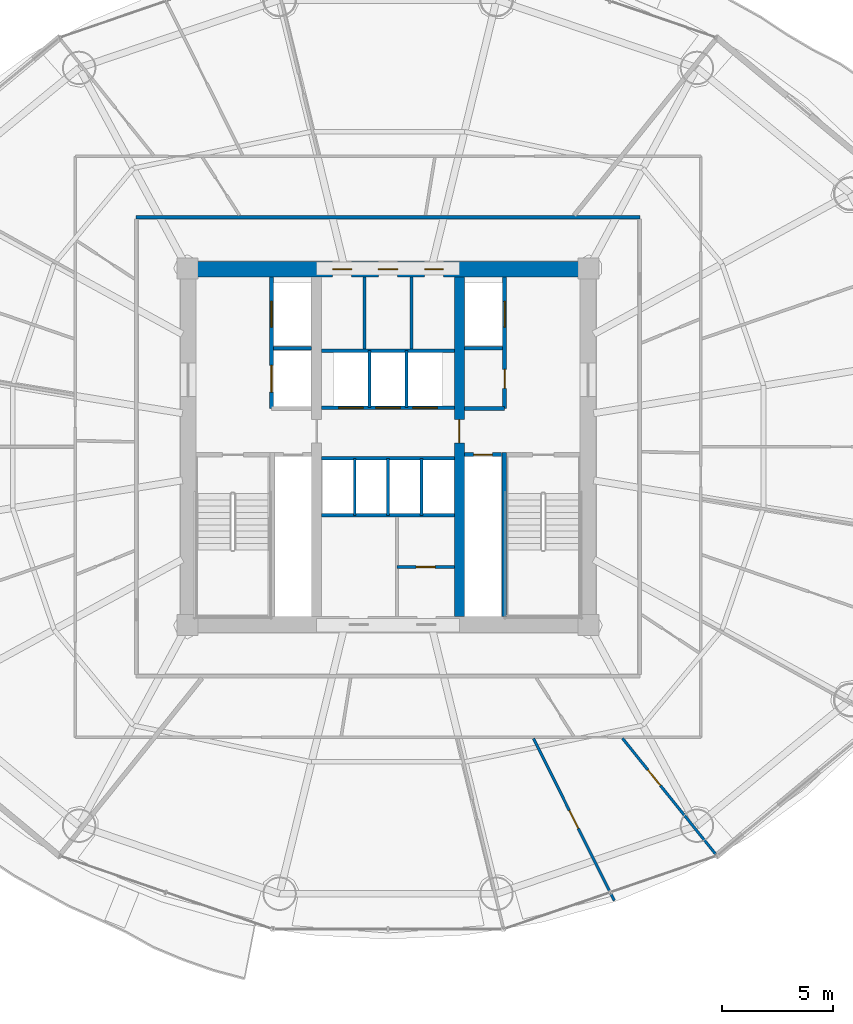
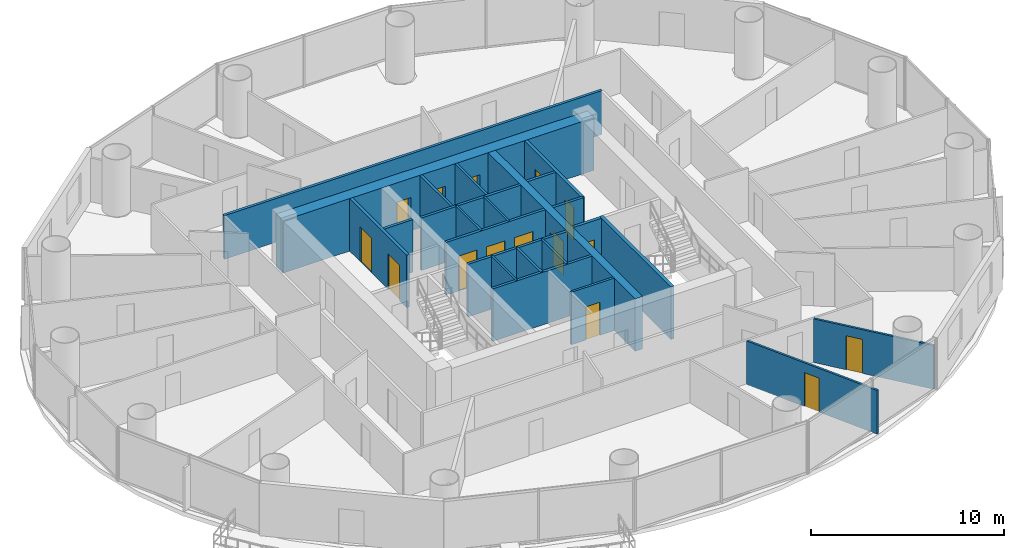
# One storey, part 23 of 29: 24 walls, 15 doors, 15 openings.
"""IFC4 building model written with IfcOpenShell, lengths in metres."""

from ifc_helpers import new_model, si_unit, direction, frame, frame_2d, origin, place, context, subcontext, project, spatial, rectangle, extrude, source, transform, mapped, material, layer, layer_set, type_object, element, fill, save


model = new_model("IFC4")

# Units and contexts
model_context = context("Model", 3, precision=1e-05, world=origin(), true_north=direction((-0.2419218956, 0.970295726276)))
body_context = subcontext(model_context, "Body", "Model", "MODEL_VIEW")
ifc_project = project(units=[si_unit("LENGTHUNIT", "METRE"), si_unit("AREAUNIT", "SQUARE_METRE"), si_unit("VOLUMEUNIT", "CUBIC_METRE"), si_unit("PLANEANGLEUNIT", "RADIAN"), si_unit("MASSUNIT", "GRAM", prefix="KILO")], contexts=[model_context])

# Site, building, storey
site_placement = place(None, origin())
site = spatial("IfcSite", under=ifc_project, at=site_placement, CompositionType="ELEMENT")
building_placement = place(site_placement, origin())
building = spatial("IfcBuilding", under=site, at=building_placement, Name="Cobrevalo Terracotta Tower", CompositionType="ELEMENT")
storey_placement = place(building_placement, frame((0.0, 0.0, 119.39990234375)))
storey = spatial("IfcBuildingStorey", under=building, at=storey_placement, Name="L31", CompositionType="ELEMENT", Elevation=119.39990234375)

# Wall, openings, doors
ifc_material_1 = material(Name="Concrete C60", Category="concrete")
ifc_layer_1 = layer(ifc_material_1, 0.699951171875)
ifc_layer_set_1 = layer_set([ifc_layer_1], Name="Concrete C60")
wall_type_1 = type_object("IfcWallType", Name="Core shear wall 700 mm Concrete C60", PredefinedType="SHEAR", material=ifc_layer_set_1)
wall_1_placement = place(storey_placement, frame((28.675048828125, 34.77490234375, 0.0), z_axis=(0.0, 0.0, 1.0), x_axis=(1.0, 0.0, 0.0)))
wall_1 = element("IfcWall", 1, at=wall_1_placement, inside=storey, type_object=wall_type_1, Name="L31 north core shear wall", PredefinedType="SHEAR", context=body_context, shape_type="SweptSolid", body=[
    extrude(rectangle(XDim=18.64990234375, YDim=0.699951171875, at=frame_2d((9.324951171875, 0.0))), origin(), (0.0, 0.0, 1.0), 3.3251953125),
])
opening_1_placement = place(wall_1_placement, frame((6.83740234375, 0.0, 0.0)))
opening_1 = element("IfcOpeningElement", 2, at=opening_1_placement, cuts=wall_1, Name="Opening ID-22", PredefinedType="OPENING", context=body_context, shape_type="SweptSolid", body=[
    extrude(rectangle(XDim=0.85009765625, YDim=2.10009765625, at=frame_2d((0.425048828125, 1.050048828125))), frame((0.0, 0.35986328125, 0.0), z_axis=(0.0, -1.0, 0.0), x_axis=(1.0, 0.0, 0.0)), (0.0, 0.0, 1.0), 0.719970703125),
])
opening_2_placement = place(wall_1_placement, frame((8.89501953125, 0.0, 0.0)))
opening_2 = element("IfcOpeningElement", 3, at=opening_2_placement, cuts=wall_1, Name="Opening ID-07", PredefinedType="OPENING", context=body_context, shape_type="SweptSolid", body=[
    extrude(rectangle(XDim=0.860107421875, YDim=2.10009765625, at=frame_2d((0.43017578125, 1.050048828125))), frame((0.0, 0.35986328125, 0.0), z_axis=(0.0, -1.0, 0.0), x_axis=(1.0, 0.0, 0.0)), (0.0, 0.0, 1.0), 0.719970703125),
])
opening_3_placement = place(wall_1_placement, frame((10.96240234375, 0.0, 0.0)))
opening_3 = element("IfcOpeningElement", 4, at=opening_3_placement, cuts=wall_1, Name="Opening ID-22", PredefinedType="OPENING", context=body_context, shape_type="SweptSolid", body=[
    extrude(rectangle(XDim=0.85009765625, YDim=2.10009765625, at=frame_2d((0.425048828125, 1.050048828125))), frame((0.0, 0.35986328125, 0.0), z_axis=(0.0, -1.0, 0.0), x_axis=(1.0, 0.0, 0.0)), (0.0, 0.0, 1.0), 0.719970703125),
])
ifc_material_2 = material(Name="Powder-coated steel", Category="steel")
door_type_1 = type_object("IfcDoorType", Name="Riser shaft & meter closet fire access door 850x2100 EI 60", OperationType="NOTDEFINED", PredefinedType="DOOR", material=ifc_material_2)
shared_shape_1 = source(origin(), body_context, "Body", "SweptSolid", [
    extrude(rectangle(XDim=0.85009765625, YDim=2.10009765625, at=frame_2d((0.425048828125, 1.050048828125))), frame((0.0, 0.02490234375, 0.0), z_axis=(0.0, -1.0, 0.0), x_axis=(1.0, 0.0, 0.0)), (0.0, 0.0, 1.0), 0.050048828125),
])
door_1_placement = place(opening_1_placement, frame((0.85009765625, 0.0, 0.0), z_axis=(0.0, 0.0, 1.0), x_axis=(-1.0, 0.0, 0.0)))
door_1 = element("IfcDoor", 5, at=door_1_placement, inside=storey, type_object=door_type_1, Name="L31 core north service door Housekeeping Linen Store", OperationType="SINGLE_SWING_LEFT", OverallHeight=2.10009765625, OverallWidth=0.85009765625, PredefinedType="DOOR", context=body_context, shape_type="MappedRepresentation", body=[
    mapped(shared_shape_1, transform((0.0, 0.0, 0.0), scale=1.0)),
])
fill(opening_1, door_1)
door_2_placement = place(opening_3_placement, frame((0.85009765625, 0.0, 0.0), z_axis=(0.0, 0.0, 1.0), x_axis=(-1.0, 0.0, 0.0)))
door_2 = element("IfcDoor", 6, at=door_2_placement, inside=storey, type_object=door_type_1, Name="L31 core north service door Floor BMS Mechanical Plant", OperationType="SINGLE_SWING_LEFT", OverallHeight=2.10009765625, OverallWidth=0.85009765625, PredefinedType="DOOR", context=body_context, shape_type="MappedRepresentation", body=[
    mapped(shared_shape_1, transform((0.0, 0.0, 0.0), scale=1.0)),
])
fill(opening_3, door_2)
ifc_material_3 = material(Name="Fire-rated moisture-sealed timber", Category="wood")
door_type_2 = type_object("IfcDoorType", Name="Core & podium fire-rated accessible WC door 860x2100 EI 60", OperationType="NOTDEFINED", PredefinedType="DOOR", material=ifc_material_3)
shared_shape_2 = source(origin(), body_context, "Body", "SweptSolid", [
    extrude(rectangle(XDim=0.860107421875, YDim=2.10009765625, at=frame_2d((0.43017578125, 1.050048828125))), frame((0.0, 0.02490234375, 0.0), z_axis=(0.0, -1.0, 0.0), x_axis=(1.0, 0.0, 0.0)), (0.0, 0.0, 1.0), 0.050048828125),
])
door_3_placement = place(opening_2_placement, frame((0.860107421875, 0.0, 0.0), z_axis=(0.0, 0.0, 1.0), x_axis=(-1.0, 0.0, 0.0)))
door_3 = element("IfcDoor", 7, at=door_3_placement, inside=storey, type_object=door_type_2, Name="L31 core north service door Floor Service Toilet WC", OperationType="SINGLE_SWING_RIGHT", OverallHeight=2.10009765625, OverallWidth=0.860107421875, PredefinedType="DOOR", context=body_context, shape_type="MappedRepresentation", body=[
    mapped(shared_shape_2, transform((0.0, 0.0, 0.0), scale=1.0)),
])
fill(opening_2, door_3)

# Walls
ifc_material_4 = material(Name="Gypsum board on steel stud", Category="steel")
ifc_layer_2 = layer(ifc_material_4, 0.159912109375)
ifc_layer_set_2 = layer_set([ifc_layer_2], Name="Gypsum board on steel stud")
wall_type_2 = type_object("IfcWallType", Name="Fire-rated corridor acoustic partition wall 160 mm", PredefinedType="PARTITIONING", material=ifc_layer_set_2)
for number, where, z_axis, x_axis, name in (
    (8, (32.860107421875, 31.219970703125, 0.0), (0.0, 0.0, 1.0), (1.0, 0.0, 0.0), "L31 interior partition IW-L31-FF1-M"),
    (9, (41.425048828125, 31.219970703125, 0.0), (0.0, 0.0, 1.0), (1.0, 0.0, 0.0), "L31 interior partition IW-L31-FF2-M"),
):
    element("IfcWall", number, at=place(storey_placement, frame(where, z_axis=z_axis, x_axis=x_axis)), inside=storey, type_object=wall_type_2, Name=name, PredefinedType="PARTITIONING", context=body_context, shape_type="SweptSolid", body=[
        extrude(rectangle(XDim=1.71484375, YDim=0.159912109375, at=frame_2d((0.857421875, 0.0))), origin(), (0.0, 0.0, 1.0), 3.3251953125),
    ])
wall_2_placement = place(storey_placement, frame((41.425048828125, 28.52001953125, 0.0), z_axis=(0.0, 0.0, 1.0), x_axis=(1.0, 0.0, 0.0)))
element("IfcWall", 10, at=wall_2_placement, inside=storey, type_object=wall_type_2, Name="L31 interior partition IW-L31-FF2-S", PredefinedType="PARTITIONING", context=body_context, shape_type="SweptSolid", body=[
    extrude(rectangle(XDim=1.804931640625, YDim=0.159912109375, at=frame_2d((0.90234375, 0.0))), origin(), (0.0, 0.0, 1.0), 3.3251953125),
])

# Wall, openings, doors
wall_3_placement = place(storey_placement, frame((35.02490234375, 28.56005859375, 0.0), z_axis=(0.0, 0.0, 1.0), x_axis=(1.0, 0.0, 0.0)))
wall_3 = element("IfcWall", 11, at=wall_3_placement, inside=storey, type_object=wall_type_2, Name="L31 interior partition IW-L31-LB-S", PredefinedType="PARTITIONING", context=body_context, shape_type="SweptSolid", body=[
    extrude(rectangle(XDim=5.9501953125, YDim=0.159912109375, at=frame_2d((2.97509765625, 0.0))), origin(), (0.0, 0.0, 1.0), 3.3251953125),
])
opening_4_placement = place(wall_3_placement, frame((0.760009765625, 0.0, 0.0)))
opening_4 = element("IfcOpeningElement", 12, at=opening_4_placement, cuts=wall_3, Name="Opening LD-01", PredefinedType="OPENING", context=body_context, shape_type="SweptSolid", body=[
    extrude(rectangle(XDim=1.10009765625, YDim=2.199951171875, at=frame_2d((0.550048828125, 1.10009765625))), frame((0.0, 0.08984375, 0.0), z_axis=(0.0, -1.0, 0.0), x_axis=(1.0, 0.0, 0.0)), (0.0, 0.0, 1.0), 0.179931640625),
])
opening_5_placement = place(wall_3_placement, frame((2.425048828125, 0.0, 0.0)))
opening_5 = element("IfcOpeningElement", 13, at=opening_5_placement, cuts=wall_3, Name="Opening LD-01", PredefinedType="OPENING", context=body_context, shape_type="SweptSolid", body=[
    extrude(rectangle(XDim=1.10009765625, YDim=2.199951171875, at=frame_2d((0.550048828125, 1.10009765625))), frame((0.0, 0.08984375, 0.0), z_axis=(0.0, -1.0, 0.0), x_axis=(1.0, 0.0, 0.0)), (0.0, 0.0, 1.0), 0.179931640625),
])
opening_6_placement = place(wall_3_placement, frame((4.090087890625, 0.0, 0.0)))
opening_6 = element("IfcOpeningElement", 14, at=opening_6_placement, cuts=wall_3, Name="Opening LD-01", PredefinedType="OPENING", context=body_context, shape_type="SweptSolid", body=[
    extrude(rectangle(XDim=1.10009765625, YDim=2.199951171875, at=frame_2d((0.550048828125, 1.10009765625))), frame((0.0, 0.08984375, 0.0), z_axis=(0.0, -1.0, 0.0), x_axis=(1.0, 0.0, 0.0)), (0.0, 0.0, 1.0), 0.179931640625),
])
ifc_material_5 = material(Name="Brushed stainless steel", Category="steel")
door_type_3 = type_object("IfcDoorType", Name="Passenger lift landing bi-parting sliding door 1100x2200 EI 90", OperationType="DOUBLE_DOOR_SLIDING", PredefinedType="DOOR", material=ifc_material_5)
shared_shape_3 = source(origin(), body_context, "Body", "SweptSolid", [
    extrude(rectangle(XDim=1.10009765625, YDim=2.199951171875, at=frame_2d((0.550048828125, 1.10009765625))), frame((0.0, 0.02490234375, 0.0), z_axis=(0.0, -1.0, 0.0), x_axis=(1.0, 0.0, 0.0)), (0.0, 0.0, 1.0), 0.050048828125),
])
door_4_placement = place(opening_4_placement, origin())
door_4 = element("IfcDoor", 15, at=door_4_placement, inside=storey, type_object=door_type_3, Name="L31 lift landing door PL-L1", OperationType="DOUBLE_DOOR_SLIDING", OverallHeight=2.199951171875, OverallWidth=1.10009765625, PredefinedType="DOOR", context=body_context, shape_type="MappedRepresentation", body=[
    mapped(shared_shape_3, transform((0.0, 0.0, 0.0), scale=1.0)),
])
fill(opening_4, door_4)
door_5_placement = place(opening_5_placement, origin())
door_5 = element("IfcDoor", 16, at=door_5_placement, inside=storey, type_object=door_type_3, Name="L31 lift landing door PL-L2", OperationType="DOUBLE_DOOR_SLIDING", OverallHeight=2.199951171875, OverallWidth=1.10009765625, PredefinedType="DOOR", context=body_context, shape_type="MappedRepresentation", body=[
    mapped(shared_shape_3, transform((0.0, 0.0, 0.0), scale=1.0)),
])
fill(opening_5, door_5)
door_6_placement = place(opening_6_placement, origin())
door_6 = element("IfcDoor", 17, at=door_6_placement, inside=storey, type_object=door_type_3, Name="L31 lift landing door PL-L3", OperationType="DOUBLE_DOOR_SLIDING", OverallHeight=2.199951171875, OverallWidth=1.10009765625, PredefinedType="DOOR", context=body_context, shape_type="MappedRepresentation", body=[
    mapped(shared_shape_3, transform((0.0, 0.0, 0.0), scale=1.0)),
])
fill(opening_6, door_6)

# Walls
for number, where, z_axis, x_axis, name in (
    (18, (35.02490234375, 31.1201171875, 0.0), (0.0, 0.0, 1.0), (1.0, 0.0, 0.0), "L31 interior partition IW-L31-LB-N"),
    (19, (35.02490234375, 26.280029296875, 0.0), (0.0, 0.0, 1.0), (1.0, 0.0, 0.0), "L31 interior partition IW-L31-MB-N"),
    (20, (35.02490234375, 23.719970703125, 0.0), (0.0, 0.0, 1.0), (1.0, 0.0, 0.0), "L31 interior partition IW-L31-MB-S"),
):
    element("IfcWall", number, at=place(storey_placement, frame(where, z_axis=z_axis, x_axis=x_axis)), inside=storey, type_object=wall_type_2, Name=name, PredefinedType="PARTITIONING", context=body_context, shape_type="SweptSolid", body=[
        extrude(rectangle(XDim=5.9501953125, YDim=0.159912109375, at=frame_2d((2.97509765625, 0.0))), origin(), (0.0, 0.0, 1.0), 3.3251953125),
    ])
wall_4_placement = place(storey_placement, frame((26.695068359375, 37.10498046875, 0.0), z_axis=(0.0, 0.0, 1.0), x_axis=(1.0, 0.0, 0.0)))
element("IfcWall", 21, at=wall_4_placement, inside=storey, type_object=wall_type_2, Name="L31 interior partition IW-L31-COR-N", PredefinedType="PARTITIONING", context=body_context, shape_type="SweptSolid", body=[
    extrude(rectangle(XDim=22.60986328125, YDim=0.159912109375, at=frame_2d((11.304931640625, 0.0))), origin(), (0.0, 0.0, 1.0), 2.76708984375),
])

# Wall, opening, door
ifc_layer_3 = layer(ifc_material_4, 0.179931640625)
ifc_layer_set_3 = layer_set([ifc_layer_3], Name="Gypsum board on steel stud")
wall_type_3 = type_object("IfcWallType", Name="Fire-rated shaft & lobby acoustic partition wall 180 mm", PredefinedType="PARTITIONING", material=ifc_layer_set_3)
wall_5_placement = place(storey_placement, frame((41.425048828125, 26.449951171875, 0.0), z_axis=(0.0, 0.0, 1.0), x_axis=(1.0, 0.0, 0.0)))
wall_5 = element("IfcWall", 22, at=wall_5_placement, inside=storey, type_object=wall_type_3, Name="L31 interior partition IW-L31-RSE-N", PredefinedType="PARTITIONING", context=body_context, shape_type="SweptSolid", body=[
    extrude(rectangle(XDim=1.675048828125, YDim=0.179931640625, at=frame_2d((0.83740234375, 0.0))), origin(), (0.0, 0.0, 1.0), 3.3251953125),
])
opening_7_placement = place(wall_5_placement, frame((0.41259765625, 0.0, 0.0)))
opening_7 = element("IfcOpeningElement", 23, at=opening_7_placement, cuts=wall_5, Name="Opening ID-22", PredefinedType="OPENING", context=body_context, shape_type="SweptSolid", body=[
    extrude(rectangle(XDim=0.85009765625, YDim=2.10009765625, at=frame_2d((0.425048828125, 1.050048828125))), frame((0.0, 0.10009765625, 0.0), z_axis=(0.0, -1.0, 0.0), x_axis=(1.0, 0.0, 0.0)), (0.0, 0.0, 1.0), 0.199951171875),
])
door_7_placement = place(opening_7_placement, origin())
door_7 = element("IfcDoor", 24, at=door_7_placement, inside=storey, type_object=door_type_1, Name="L31 riser access door RSE", OperationType="SINGLE_SWING_RIGHT", OverallHeight=2.10009765625, OverallWidth=0.85009765625, PredefinedType="DOOR", context=body_context, shape_type="MappedRepresentation", body=[
    mapped(shared_shape_1, transform((0.0, 0.0, 0.0), scale=1.0)),
])
fill(opening_7, door_7)

# Wall, openings, doors
wall_6_placement = place(storey_placement, frame((32.77001953125, 28.52001953125, 0.0), z_axis=(0.0, 0.0, 1.0), x_axis=(0.0, 1.0, 0.0)))
wall_6 = element("IfcWall", 25, at=wall_6_placement, inside=storey, type_object=wall_type_3, Name="L31 interior partition IW-L31-FF1-W", PredefinedType="PARTITIONING", context=body_context, shape_type="SweptSolid", body=[
    extrude(rectangle(XDim=5.905029296875, YDim=0.179931640625, at=frame_2d((2.95263671875, 0.0))), origin(), (0.0, 0.0, 1.0), 3.3251953125),
])
opening_8_placement = place(wall_6_placement, frame((3.655029296875, 0.0, 0.0)))
opening_8 = element("IfcOpeningElement", 26, at=opening_8_placement, cuts=wall_6, Name="Opening LD-02", PredefinedType="OPENING", context=body_context, shape_type="SweptSolid", body=[
    extrude(rectangle(XDim=1.14990234375, YDim=2.199951171875, at=frame_2d((0.574951171875, 1.10009765625))), frame((0.0, 0.10009765625, 0.0), z_axis=(0.0, -1.0, 0.0), x_axis=(1.0, 0.0, 0.0)), (0.0, 0.0, 1.0), 0.199951171875),
])
opening_9_placement = place(wall_6_placement, frame((0.72998046875, 0.0, 0.0)))
opening_9 = element("IfcOpeningElement", 27, at=opening_9_placement, cuts=wall_6, Name="Opening LD-03", PredefinedType="OPENING", context=body_context, shape_type="SweptSolid", body=[
    extrude(rectangle(XDim=1.199951171875, YDim=2.25, at=frame_2d((0.60009765625, 1.125))), frame((0.0, 0.10009765625, 0.0), z_axis=(0.0, -1.0, 0.0), x_axis=(1.0, 0.0, 0.0)), (0.0, 0.0, 1.0), 0.199951171875),
])
door_type_4 = type_object("IfcDoorType", Name="Firefighting lift landing bi-parting sliding door 1150x2200 EI 120", OperationType="DOUBLE_DOOR_SLIDING", PredefinedType="DOOR", material=ifc_material_5)
shared_shape_4 = source(origin(), body_context, "Body", "SweptSolid", [
    extrude(rectangle(XDim=1.14990234375, YDim=2.199951171875, at=frame_2d((0.574951171875, 1.10009765625))), frame((0.0, 0.02490234375, 0.0), z_axis=(0.0, -1.0, 0.0), x_axis=(1.0, 0.0, 0.0)), (0.0, 0.0, 1.0), 0.050048828125),
])
door_8_placement = place(opening_8_placement, origin())
door_8 = element("IfcDoor", 28, at=door_8_placement, inside=storey, type_object=door_type_4, Name="L31 lift landing door FF-1", OperationType="DOUBLE_DOOR_SLIDING", OverallHeight=2.199951171875, OverallWidth=1.14990234375, PredefinedType="DOOR", context=body_context, shape_type="MappedRepresentation", body=[
    mapped(shared_shape_4, transform((0.0, 0.0, 0.0), scale=1.0)),
])
fill(opening_8, door_8)
door_type_5 = type_object("IfcDoorType", Name="Service lift landing bi-parting sliding door 1200x2250 EI 120", OperationType="DOUBLE_DOOR_SLIDING", PredefinedType="DOOR", material=ifc_material_5)
shared_shape_5 = source(origin(), body_context, "Body", "SweptSolid", [
    extrude(rectangle(XDim=1.199951171875, YDim=2.25, at=frame_2d((0.60009765625, 1.125))), frame((0.0, 0.02490234375, 0.0), z_axis=(0.0, -1.0, 0.0), x_axis=(1.0, 0.0, 0.0)), (0.0, 0.0, 1.0), 0.050048828125),
])
door_9_placement = place(opening_9_placement, origin())
door_9 = element("IfcDoor", 29, at=door_9_placement, inside=storey, type_object=door_type_5, Name="L31 lift landing door SV-1", OperationType="DOUBLE_DOOR_SLIDING", OverallHeight=2.25, OverallWidth=1.199951171875, PredefinedType="DOOR", context=body_context, shape_type="MappedRepresentation", body=[
    mapped(shared_shape_5, transform((0.0, 0.0, 0.0), scale=1.0)),
])
fill(opening_9, door_9)

wall_7_placement = place(storey_placement, frame((43.22998046875, 28.52001953125, 0.0), z_axis=(0.0, 0.0, 1.0), x_axis=(0.0, 1.0, 0.0)))
wall_7 = element("IfcWall", 30, at=wall_7_placement, inside=storey, type_object=wall_type_3, Name="L31 interior partition IW-L31-FF2-E", PredefinedType="PARTITIONING", context=body_context, shape_type="SweptSolid", body=[
    extrude(rectangle(XDim=5.905029296875, YDim=0.179931640625, at=frame_2d((2.95263671875, 0.0))), origin(), (0.0, 0.0, 1.0), 3.3251953125),
])
opening_10_placement = place(wall_7_placement, frame((0.905029296875, 0.0, 0.0)))
opening_10 = element("IfcOpeningElement", 31, at=opening_10_placement, cuts=wall_7, Name="Opening ID-22", PredefinedType="OPENING", context=body_context, shape_type="SweptSolid", body=[
    extrude(rectangle(XDim=0.85009765625, YDim=2.10009765625, at=frame_2d((0.425048828125, 1.050048828125))), frame((0.0, 0.10009765625, 0.0), z_axis=(0.0, -1.0, 0.0), x_axis=(1.0, 0.0, 0.0)), (0.0, 0.0, 1.0), 0.199951171875),
])
opening_11_placement = place(wall_7_placement, frame((3.655029296875, 0.0, 0.0)))
opening_11 = element("IfcOpeningElement", 32, at=opening_11_placement, cuts=wall_7, Name="Opening LD-02", PredefinedType="OPENING", context=body_context, shape_type="SweptSolid", body=[
    extrude(rectangle(XDim=1.14990234375, YDim=2.199951171875, at=frame_2d((0.574951171875, 1.10009765625))), frame((0.0, 0.10009765625, 0.0), z_axis=(0.0, -1.0, 0.0), x_axis=(1.0, 0.0, 0.0)), (0.0, 0.0, 1.0), 0.199951171875),
])
door_10_placement = place(opening_10_placement, frame((0.85009765625, 0.0, 0.0), z_axis=(0.0, 0.0, 1.0), x_axis=(-1.0, 0.0, 0.0)))
door_10 = element("IfcDoor", 33, at=door_10_placement, inside=storey, type_object=door_type_1, Name="L31 housekeeping store door", OperationType="SINGLE_SWING_RIGHT", OverallHeight=2.10009765625, OverallWidth=0.85009765625, PredefinedType="DOOR", context=body_context, shape_type="MappedRepresentation", body=[
    mapped(shared_shape_1, transform((0.0, 0.0, 0.0), scale=1.0)),
])
fill(opening_10, door_10)
door_11_placement = place(opening_11_placement, origin())
door_11 = element("IfcDoor", 34, at=door_11_placement, inside=storey, type_object=door_type_4, Name="L31 lift landing door FF-2", OperationType="DOUBLE_DOOR_SLIDING", OverallHeight=2.199951171875, OverallWidth=1.14990234375, PredefinedType="DOOR", context=body_context, shape_type="MappedRepresentation", body=[
    mapped(shared_shape_4, transform((0.0, 0.0, 0.0), scale=1.0)),
])
fill(opening_11, door_11)

# Walls
ifc_material_6 = material(Name="Autoclaved aerated concrete block", Category="concrete")
ifc_layer_4 = layer(ifc_material_6, 0.1201171875)
ifc_layer_set_4 = layer_set([ifc_layer_4], Name="Autoclaved aerated concrete block")
wall_type_4 = type_object("IfcWallType", Name="Fire-rated wet-room & core service partition 120 mm", PredefinedType="PARTITIONING", material=ifc_layer_set_4)
for number, where, z_axis, x_axis, name in (
    (35, (37.169921875, 28.56005859375, 0.0), (0.0, 0.0, 1.0), (0.0, 1.0, 0.0), "L31 interior partition IW-L31-LB-D1"),
    (36, (38.830078125, 28.56005859375, 0.0), (0.0, 0.0, 1.0), (0.0, 1.0, 0.0), "L31 interior partition IW-L31-LB-D2"),
    (37, (36.5, 23.719970703125, 0.0), (0.0, 0.0, 1.0), (0.0, 1.0, 0.0), "L31 interior partition IW-L31-MB-D1"),
    (38, (39.5, 23.719970703125, 0.0), (0.0, 0.0, 1.0), (0.0, 1.0, 0.0), "L31 interior partition IW-L31-MB-D3"),
):
    element("IfcWall", number, at=place(storey_placement, frame(where, z_axis=z_axis, x_axis=x_axis)), inside=storey, type_object=wall_type_4, Name=name, PredefinedType="PARTITIONING", context=body_context, shape_type="SweptSolid", body=[
        extrude(rectangle(XDim=2.56005859375, YDim=0.1201171875, at=frame_2d((1.280029296875, 0.0))), origin(), (0.0, 0.0, 1.0), 3.3251953125),
    ])

# Wall, opening, door
ifc_material_7 = material(Name="Concrete C55", Category="concrete")
ifc_layer_5 = layer(ifc_material_7, 0.449951171875)
ifc_layer_set_5 = layer_set([ifc_layer_5], Name="Concrete C55")
wall_type_5 = type_object("IfcWallType", Name="Internal core shear web wall 450 mm Concrete C55", PredefinedType="SHEAR", material=ifc_layer_set_5)
wall_8_placement = place(storey_placement, frame((41.199951171875, 19.175048828125, 0.0), z_axis=(0.0, 0.0, 1.0), x_axis=(0.0, 1.0, 0.0)))
wall_8 = element("IfcWall", 39, at=wall_8_placement, inside=storey, type_object=wall_type_5, Name="L31 internal core shear wall WEB-E", PredefinedType="SHEAR", context=body_context, shape_type="SweptSolid", body=[
    extrude(rectangle(XDim=15.25, YDim=0.449951171875, at=frame_2d((7.625, 0.0))), origin(), (0.0, 0.0, 1.0), 3.3251953125),
])
opening_12_placement = place(wall_8_placement, frame((7.800048828125, 0.0, 0.0)))
opening_12 = element("IfcOpeningElement", 40, at=opening_12_placement, cuts=wall_8, Name="Opening ID-11", PredefinedType="OPENING", context=body_context, shape_type="SweptSolid", body=[
    extrude(rectangle(XDim=1.050048828125, YDim=2.14990234375, at=frame_2d((0.52490234375, 1.074951171875))), frame((0.0, 0.23486328125, 0.0), z_axis=(0.0, -1.0, 0.0), x_axis=(1.0, 0.0, 0.0)), (0.0, 0.0, 1.0), 0.469970703125),
])
ifc_material_8 = material(Name="Galvanized fire-rated steel", Category="steel")
door_type_6 = type_object("IfcDoorType", Name="Core concourse cross fire door 1050x2150 EI 90", OperationType="NOTDEFINED", PredefinedType="DOOR", material=ifc_material_8)
shared_shape_6 = source(origin(), body_context, "Body", "SweptSolid", [
    extrude(rectangle(XDim=1.050048828125, YDim=2.14990234375, at=frame_2d((0.52490234375, 1.074951171875))), frame((0.0, 0.02490234375, 0.0), z_axis=(0.0, -1.0, 0.0), x_axis=(1.0, 0.0, 0.0)), (0.0, 0.0, 1.0), 0.050048828125),
])
door_12_placement = place(opening_12_placement, frame((1.050048828125, 0.0, 0.0), z_axis=(0.0, 0.0, 1.0), x_axis=(-1.0, 0.0, 0.0)))
door_12 = element("IfcDoor", 41, at=door_12_placement, inside=storey, type_object=door_type_6, Name="L31 east core concourse cross door", OperationType="SINGLE_SWING_RIGHT", OverallHeight=2.14990234375, OverallWidth=1.050048828125, PredefinedType="DOOR", context=body_context, shape_type="MappedRepresentation", body=[
    mapped(shared_shape_6, transform((0.0, 0.0, 0.0), scale=1.0)),
])
fill(opening_12, door_12)

# Walls
ifc_layer_6 = layer(ifc_material_6, 0.139892578125)
ifc_layer_set_6 = layer_set([ifc_layer_6], Name="Autoclaved aerated concrete block")
wall_type_6 = type_object("IfcWallType", Name="Moisture-resistant wet-room & core service partition 140 mm", PredefinedType="PARTITIONING", material=ifc_layer_set_6)
for number, where, z_axis, x_axis, name in (
    (42, (36.949951171875, 31.199951171875, 0.0), (0.0, 0.0, 1.0), (0.0, 1.0, 0.0), "L31 interior partition IW-L31-KVN-A"),
    (43, (39.050048828125, 31.199951171875, 0.0), (0.0, 0.0, 1.0), (0.0, 1.0, 0.0), "L31 interior partition IW-L31-KVN-B"),
):
    element("IfcWall", number, at=place(storey_placement, frame(where, z_axis=z_axis, x_axis=x_axis)), inside=storey, type_object=wall_type_6, Name=name, PredefinedType="PARTITIONING", context=body_context, shape_type="SweptSolid", body=[
        extrude(rectangle(XDim=3.22509765625, YDim=0.139892578125, at=frame_2d((1.612548828125, 0.0))), origin(), (0.0, 0.0, 1.0), 3.3251953125),
    ])
wall_9_placement = place(storey_placement, frame((38.0, 23.719970703125, 0.0), z_axis=(0.0, 0.0, 1.0), x_axis=(0.0, 1.0, 0.0)))
element("IfcWall", 44, at=wall_9_placement, inside=storey, type_object=wall_type_6, Name="L31 interior partition IW-L31-MB-D2", PredefinedType="PARTITIONING", context=body_context, shape_type="SweptSolid", body=[
    extrude(rectangle(XDim=2.56005859375, YDim=0.139892578125, at=frame_2d((1.280029296875, 0.0))), origin(), (0.0, 0.0, 1.0), 3.3251953125),
])

# Wall, opening, door
wall_10_placement = place(storey_placement, frame((38.39990234375, 21.407470703125, 0.0), z_axis=(0.0, 0.0, 1.0), x_axis=(1.0, 0.0, 0.0)))
wall_10 = element("IfcWall", 45, at=wall_10_placement, inside=storey, type_object=wall_type_6, Name="L31 interior partition IW-L31-KVS-L2", PredefinedType="PARTITIONING", context=body_context, shape_type="SweptSolid", body=[
    extrude(rectangle(XDim=2.5751953125, YDim=0.139892578125, at=frame_2d((1.28759765625, 0.0))), origin(), (0.0, 0.0, 1.0), 3.3251953125),
])
opening_13_placement = place(wall_10_placement, frame((0.862548828125, 0.0, 0.0)))
opening_13 = element("IfcOpeningElement", 46, at=opening_13_placement, cuts=wall_10, Name="Opening ID-22", PredefinedType="OPENING", context=body_context, shape_type="SweptSolid", body=[
    extrude(rectangle(XDim=0.85009765625, YDim=2.10009765625, at=frame_2d((0.425048828125, 1.050048828125))), frame((0.0, 0.080078125, 0.0), z_axis=(0.0, -1.0, 0.0), x_axis=(1.0, 0.0, 0.0)), (0.0, 0.0, 1.0), 0.159912109375),
])
door_13_placement = place(opening_13_placement, origin())
door_13 = element("IfcDoor", 47, at=door_13_placement, inside=storey, type_object=door_type_1, Name="L31 core KVS-L2 inner door", OperationType="SINGLE_SWING_LEFT", OverallHeight=2.10009765625, OverallWidth=0.85009765625, PredefinedType="DOOR", context=body_context, shape_type="MappedRepresentation", body=[
    mapped(shared_shape_1, transform((0.0, 0.0, 0.0), scale=1.0)),
])
fill(opening_13, door_13)

ifc_layer_7 = layer(ifc_material_4, 0.1201171875)
ifc_layer_set_7 = layer_set([ifc_layer_7], Name="Gypsum board on steel stud")
wall_type_7 = type_object("IfcWallType", Name="Residential internal acoustic stud partition 120 mm", PredefinedType="PARTITIONING", material=ifc_layer_set_7)
wall_11_placement = place(storey_placement, frame((44.5263671875, 13.70947265625, 0.0), z_axis=(0.0, 0.0, 1.0), x_axis=(0.446179583353, -0.894943450392, 0.0)))
wall_11 = element("IfcWall", 48, at=wall_11_placement, inside=storey, type_object=wall_type_7, Name="L31 interior partition IW-L31-U2-ORAD2M1", PredefinedType="PARTITIONING", context=body_context, shape_type="SweptSolid", body=[
    extrude(rectangle(XDim=8.12451171875, YDim=0.1201171875, at=frame_2d((4.062255859375, 0.0))), origin(), (0.0, 0.0, 1.0), 2.76708984375),
])
opening_14_placement = place(wall_11_placement, frame((3.6123046875, 0.0, 0.0)))
opening_14 = element("IfcOpeningElement", 49, at=opening_14_placement, cuts=wall_11, Name="Opening ID-12", PredefinedType="OPENING", context=body_context, shape_type="SweptSolid", body=[
    extrude(rectangle(XDim=0.89990234375, YDim=2.14990234375, at=frame_2d((0.449951171875, 1.074951171875))), frame((0.0, 0.070068359375, 0.0), z_axis=(0.0, -1.0, 0.0), x_axis=(1.0, 0.0, 0.0)), (0.0, 0.0, 1.0), 0.14013671875),
])
ifc_material_9 = material(Name="Engineered timber", Category="wood")
door_type_7 = type_object("IfcDoorType", Name="Internal residence & suite timber door 900x2150", OperationType="NOTDEFINED", PredefinedType="DOOR", material=ifc_material_9)
shared_shape_7 = source(origin(), body_context, "Body", "SweptSolid", [
    extrude(rectangle(XDim=0.89990234375, YDim=2.14990234375, at=frame_2d((0.449951171875, 1.074951171875))), frame((0.0, 0.02490234375, 0.0), z_axis=(0.0, -1.0, 0.0), x_axis=(1.0, 0.0, 0.0)), (0.0, 0.0, 1.0), 0.050048828125),
])
door_14_placement = place(opening_14_placement, frame((0.89990234375, 0.0, 0.0), z_axis=(0.0, 0.0, 1.0), x_axis=(-1.0, 0.0, 0.0)))
door_14 = element("IfcDoor", 50, at=door_14_placement, inside=storey, type_object=door_type_7, Name="Flat L31B Master Bedroom internal door", OperationType="SINGLE_SWING_RIGHT", OverallHeight=2.14990234375, OverallWidth=0.89990234375, PredefinedType="DOOR", context=body_context, shape_type="MappedRepresentation", body=[
    mapped(shared_shape_7, transform((0.0, 0.0, 0.0), scale=1.0)),
])
fill(opening_14, door_14)

wall_12_placement = place(storey_placement, frame((48.52197265625, 13.716796875, 0.0), z_axis=(0.0, 0.0, 1.0), x_axis=(0.626707979732, -0.77925419995, 0.0)))
wall_12 = element("IfcWall", 51, at=wall_12_placement, inside=storey, type_object=wall_type_7, Name="L31 interior partition IW-L31-U2-ORAD2", PredefinedType="PARTITIONING", context=body_context, shape_type="SweptSolid", body=[
    extrude(rectangle(XDim=6.6787109375, YDim=0.1201171875, at=frame_2d((3.33935546875, 0.0))), origin(), (0.0, 0.0, 1.0), 2.76708984375),
])
opening_15_placement = place(wall_12_placement, frame((1.8212890625, 0.0, 0.0)))
opening_15 = element("IfcOpeningElement", 52, at=opening_15_placement, cuts=wall_12, Name="Opening ID-12", PredefinedType="OPENING", context=body_context, shape_type="SweptSolid", body=[
    extrude(rectangle(XDim=0.89990234375, YDim=2.14990234375, at=frame_2d((0.449951171875, 1.074951171875))), frame((0.0, 0.070068359375, 0.0), z_axis=(0.0, -1.0, 0.0), x_axis=(1.0, 0.0, 0.0)), (0.0, 0.0, 1.0), 0.14013671875),
])
door_15_placement = place(opening_15_placement, origin())
door_15 = element("IfcDoor", 53, at=door_15_placement, inside=storey, type_object=door_type_7, Name="Flat L31B Principal Guest Bedroom internal door", OperationType="SINGLE_SWING_LEFT", OverallHeight=2.14990234375, OverallWidth=0.89990234375, PredefinedType="DOOR", context=body_context, shape_type="MappedRepresentation", body=[
    mapped(shared_shape_7, transform((0.0, 0.0, 0.0), scale=1.0)),
])
fill(opening_15, door_15)

# Wall
ifc_material_10 = material(Name="Concrete C50", Category="concrete")
ifc_layer_8 = layer(ifc_material_10, 0.199951171875)
ifc_layer_set_8 = layer_set([ifc_layer_8], Name="Concrete C50")
wall_type_8 = type_object("IfcWallType", Name="Structural core & podium stair-shaft RC wall 200 mm Concrete C50", PredefinedType="SOLIDWALL", material=ifc_layer_set_8)
wall_13_placement = place(storey_placement, frame((43.205078125, 19.175048828125, 0.0), z_axis=(0.0, 0.0, 1.0), x_axis=(0.0, 1.0, 0.0)))
element("IfcWall", 54, at=wall_13_placement, inside=storey, type_object=wall_type_8, Name="L31 ST-2 west structural shaft wall", PredefinedType="SOLIDWALL", context=body_context, shape_type="SweptSolid", body=[
    extrude(rectangle(XDim=7.375, YDim=0.199951171875, at=frame_2d((3.6875, 0.0))), origin(), (0.0, 0.0, 1.0), 3.3251953125),
])

save(model, "model.ifc")
